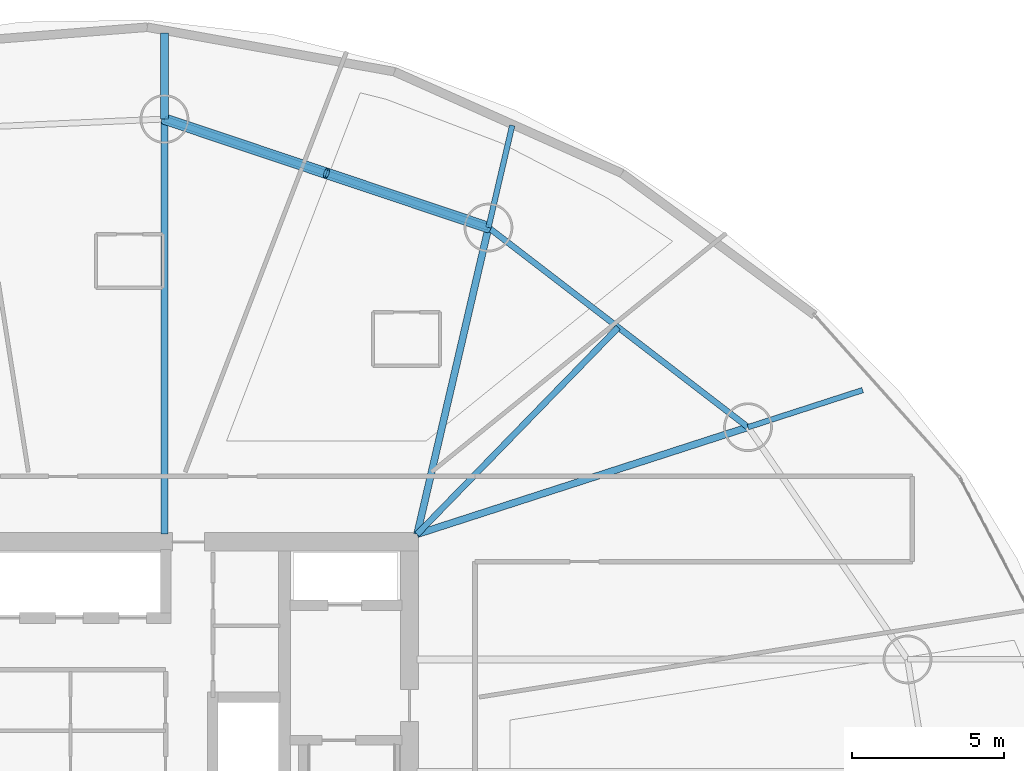
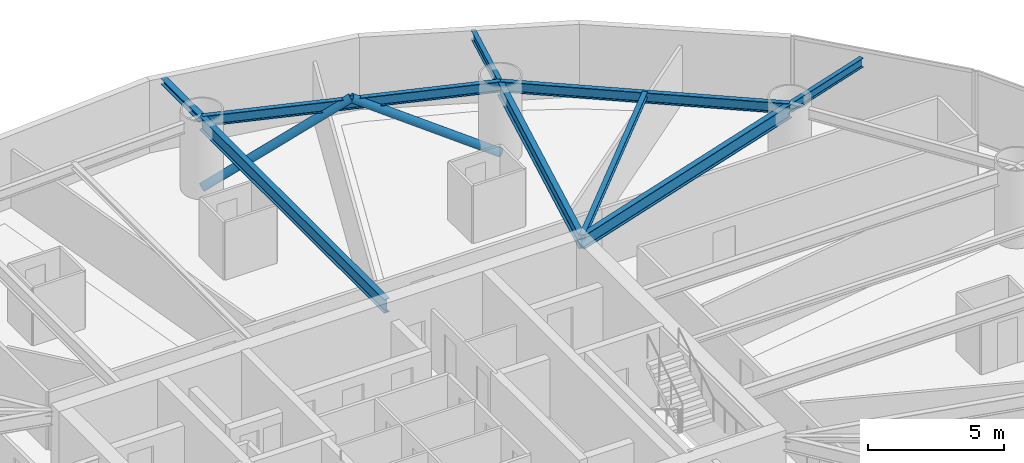
# One storey, part 15 of 25: 9 beams, 2 members.
"""IFC4 building model written with IfcOpenShell, lengths in metres."""

from ifc_helpers import new_model, si_unit, direction, frame, origin, origin_2d, place, context, subcontext, project, spatial, hollow_circle, i_section, extrude, material, material_profile, profile_set, type_object, element, save


model = new_model("IFC4")

# Units and contexts
model_context = context("Model", 3, precision=1e-05, world=origin(), true_north=direction((0.0, 1.0)))
body_context = subcontext(model_context, "Body", "Model", "MODEL_VIEW")
ifc_project = project(units=[si_unit("LENGTHUNIT", "METRE"), si_unit("AREAUNIT", "SQUARE_METRE"), si_unit("VOLUMEUNIT", "CUBIC_METRE"), si_unit("PLANEANGLEUNIT", "RADIAN"), si_unit("MASSUNIT", "GRAM", prefix="KILO")], contexts=[model_context])

# Site, building, storey
site_placement = place(None, origin())
site = spatial("IfcSite", under=ifc_project, at=site_placement, CompositionType="ELEMENT")
building_placement = place(site_placement, origin())
building = spatial("IfcBuilding", under=site, at=building_placement, Name="Bramvorn Convention Spire", CompositionType="ELEMENT")
storey_placement = place(building_placement, frame((0.0, 0.0, 48.39990234375)))
storey = spatial("IfcBuildingStorey", under=building, at=storey_placement, Name="L09", CompositionType="ELEMENT", Elevation=48.39990234375)

# Beams
ifc_material = material(Name="Steel CSA G40.21 Grade 350 (350W)", Category="steel")
ifc_material_profile_1 = material_profile(ifc_material, i_section(OverallWidth=0.201904296875, OverallDepth=0.2470703125, WebThickness=0.00732421875, FlangeThickness=0.010986328125, FilletRadius=0.011962890625, at=origin_2d()))
ifc_profile_set_1 = profile_set([ifc_material_profile_1], Name="Steel CSA G40.21 Grade 350 (350W) - W250X49")
beam_type_1 = type_object("IfcBeamType", Name="BM-W250X49", PredefinedType="JOIST", material=ifc_profile_set_1)
beam_1_placement = place(storey_placement, frame((49.25, 33.449951171875, 3.126708984375), z_axis=(0.697170484005, 0.716905374671, 0.0), x_axis=(-0.716905374671, 0.697170484005, 0.0)))
element("IfcBeam", 1, at=beam_1_placement, inside=storey, type_object=beam_type_1, Name="L09 composite floor joist 03", PredefinedType="JOIST", context=body_context, shape_type="SweptSolid", body=[
    extrude(i_section(OverallWidth=0.201904296875, OverallDepth=0.2470703125, WebThickness=0.00732421875, FlangeThickness=0.010986328125, FilletRadius=0.011962890625, at=origin_2d()), origin(), (0.0, 0.0, 1.0), 9.4638671875),
])
ifc_material_profile_2 = material_profile(ifc_material, i_section(OverallWidth=0.25390625, OverallDepth=0.2529296875, WebThickness=0.008544921875, FlangeThickness=0.01416015625, FilletRadius=0.011962890625, at=origin_2d()))
ifc_profile_set_2 = profile_set([ifc_material_profile_2], Name="Steel CSA G40.21 Grade 350 (350W) - W250X73")
beam_type_2 = type_object("IfcBeamType", Name="BM-W250X73", PredefinedType="BEAM", material=ifc_profile_set_2)
beam_2_placement = place(storey_placement, frame((40.9609375, 47.06884765625, 3.108642578125), z_axis=(0.0, 1.0, 0.0), x_axis=(-1.0, 0.0, 0.0)))
element("IfcBeam", 2, at=beam_2_placement, inside=storey, type_object=beam_type_2, Name="L09 slab-edge cantilever tip beam MC05", PredefinedType="BEAM", context=body_context, shape_type="SweptSolid", body=[
    extrude(i_section(OverallWidth=0.25390625, OverallDepth=0.2529296875, WebThickness=0.008544921875, FlangeThickness=0.01416015625, FilletRadius=0.011962890625, at=origin_2d()), origin(), (0.0, 0.0, 1.0), 2.828857421875),
])
ifc_material_profile_3 = material_profile(ifc_material, i_section(OverallWidth=0.180908203125, OverallDepth=0.4169921875, WebThickness=0.010986328125, FlangeThickness=0.018310546875, FilletRadius=0.01611328125, at=origin_2d()))
ifc_profile_set_3 = profile_set([ifc_material_profile_3], Name="Steel CSA G40.21 Grade 350 (350W) - W410X85")
beam_type_3 = type_object("IfcBeamType", Name="BM-W410X85", PredefinedType="JOIST", material=ifc_profile_set_3)
beam_3_placement = place(storey_placement, frame((60.105224609375, 36.960205078125, 3.026611328125), z_axis=(0.951488167358, 0.307685338256, 0.0), x_axis=(-0.307685338256, 0.951488167358, 0.0)))
element("IfcBeam", 3, at=beam_3_placement, inside=storey, type_object=beam_type_3, Name="L09 Sky-Garden cantilever tip girder MC03", PredefinedType="JOIST", context=body_context, shape_type="SweptSolid", body=[
    extrude(i_section(OverallWidth=0.180908203125, OverallDepth=0.4169921875, WebThickness=0.010986328125, FlangeThickness=0.018310546875, FilletRadius=0.01611328125, at=origin_2d()), origin(), (0.0, 0.0, 1.0), 3.949951171875),
])
beam_4_placement = place(storey_placement, frame((51.59033203125, 43.509033203125, 3.026611328125), z_axis=(0.226616871809, 0.973983980059, 0.0), x_axis=(-0.973983980059, 0.226616871809, 0.0)))
element("IfcBeam", 4, at=beam_4_placement, inside=storey, type_object=beam_type_3, Name="L09 Sky-Garden cantilever tip girder MC04", PredefinedType="JOIST", context=body_context, shape_type="SweptSolid", body=[
    extrude(i_section(OverallWidth=0.180908203125, OverallDepth=0.4169921875, WebThickness=0.010986328125, FlangeThickness=0.018310546875, FilletRadius=0.01611328125, at=origin_2d()), origin(), (0.0, 0.0, 1.0), 3.438720703125),
])
ifc_material_profile_4 = material_profile(ifc_material, i_section(OverallWidth=0.194091796875, OverallDepth=0.468994140625, WebThickness=0.0126953125, FlangeThickness=0.0205078125, FilletRadius=0.01806640625, at=origin_2d()))
ifc_profile_set_4 = profile_set([ifc_material_profile_4], Name="Steel CSA G40.21 Grade 350 (350W) - W460X106")
beam_type_4 = type_object("IfcBeamType", Name="BM-W460X106", PredefinedType="SPANDREL", material=ifc_profile_set_4)
beam_5_placement = place(storey_placement, frame((60.105224609375, 36.960205078125, 3.015625), z_axis=(-0.792672990445, 0.609647053809, 0.0), x_axis=(-0.609647053809, -0.792672990445, 0.0)))
element("IfcBeam", 5, at=beam_5_placement, inside=storey, type_object=beam_type_4, Name="L09 mega-column ring beam 03", PredefinedType="SPANDREL", context=body_context, shape_type="SweptSolid", body=[
    extrude(i_section(OverallWidth=0.194091796875, OverallDepth=0.468994140625, WebThickness=0.0126953125, FlangeThickness=0.0205078125, FilletRadius=0.01806640625, at=origin_2d()), origin(), (0.0, 0.0, 1.0), 10.741943359375),
])
beam_6_placement = place(storey_placement, frame((51.59033203125, 43.509033203125, 3.015625), z_axis=(-0.948235872727, 0.317566890078, 0.0), x_axis=(-0.317566890078, -0.948235872727, 0.0)))
element("IfcBeam", 6, at=beam_6_placement, inside=storey, type_object=beam_type_4, Name="L09 mega-column ring beam 04", PredefinedType="SPANDREL", context=body_context, shape_type="SweptSolid", body=[
    extrude(i_section(OverallWidth=0.194091796875, OverallDepth=0.468994140625, WebThickness=0.0126953125, FlangeThickness=0.0205078125, FilletRadius=0.01806640625, at=origin_2d()), origin(), (0.0, 0.0, 1.0), 11.209716796875),
])
ifc_material_profile_5 = material_profile(ifc_material, i_section(OverallWidth=0.22998046875, OverallDepth=0.616943359375, WebThickness=0.01318359375, FlangeThickness=0.022216796875, FilletRadius=0.02001953125, at=origin_2d()))
ifc_profile_set_5 = profile_set([ifc_material_profile_5], Name="Steel CSA G40.21 Grade 350 (350W) - W610X140")
beam_type_5 = type_object("IfcBeamType", Name="BM-W610X140", PredefinedType="BEAM", material=ifc_profile_set_5)
beam_7_placement = place(storey_placement, frame((49.25, 33.449951171875, 2.926513671875), z_axis=(0.951488933275, 0.307682969719, 0.0), x_axis=(-0.307682969719, 0.951488933275, 0.0)))
element("IfcBeam", 7, at=beam_7_placement, inside=storey, type_object=beam_type_5, Name="L09 Sky-Garden back-span radial girder MC03", PredefinedType="BEAM", context=body_context, shape_type="SweptSolid", body=[
    extrude(i_section(OverallWidth=0.22998046875, OverallDepth=0.616943359375, WebThickness=0.01318359375, FlangeThickness=0.022216796875, FilletRadius=0.02001953125, at=origin_2d()), origin(), (0.0, 0.0, 1.0), 11.40869140625),
])
beam_8_placement = place(storey_placement, frame((49.25, 33.449951171875, 2.926513671875), z_axis=(0.226606328522, 0.973986433106, 0.0), x_axis=(-0.973986433106, 0.226606328522, 0.0)))
element("IfcBeam", 8, at=beam_8_placement, inside=storey, type_object=beam_type_5, Name="L09 Sky-Garden back-span radial girder MC04", PredefinedType="BEAM", context=body_context, shape_type="SweptSolid", body=[
    extrude(i_section(OverallWidth=0.22998046875, OverallDepth=0.616943359375, WebThickness=0.01318359375, FlangeThickness=0.022216796875, FilletRadius=0.02001953125, at=origin_2d()), origin(), (0.0, 0.0, 1.0), 10.32763671875),
])
beam_9_placement = place(storey_placement, frame((40.9609375, 33.449951171875, 2.941650390625), z_axis=(0.0, 1.0, 0.0), x_axis=(-1.0, 0.0, 0.0)))
element("IfcBeam", 9, at=beam_9_placement, inside=storey, type_object=beam_type_5, Name="L09 radial floor girder MC05", PredefinedType="BEAM", context=body_context, shape_type="SweptSolid", body=[
    extrude(i_section(OverallWidth=0.22998046875, OverallDepth=0.616943359375, WebThickness=0.01318359375, FlangeThickness=0.022216796875, FilletRadius=0.02001953125, at=origin_2d()), origin(), (0.0, 0.0, 1.0), 13.618896484375),
])

# Members
ifc_material_profile_6 = material_profile(ifc_material, hollow_circle(Radius=0.177734375, WallThickness=0.015869140625, at=origin_2d()))
ifc_profile_set_6 = profile_set([ifc_material_profile_6], Name="Steel CSA G40.21 Grade 350 (350W) - CHS356X16")
member_type = type_object("IfcMemberType", Name="MBR-CHS356X16", PredefinedType="BRACE", material=ifc_profile_set_6)
for number, where, z_axis, x_axis, name in (
    (10, (51.59033203125, 43.509033203125, 0.0), (-0.820300118259, 0.274739683138, 0.501623187756), (-0.31758647294, -0.948229314146, 0.0), "L09 perimeter Gothic lancet brace 4A"),
    (11, (40.9609375, 47.06884765625, 0.0), (0.820308610169, -0.274704844877, 0.501628380659), (0.31754730681, 0.948242430994, 0.0), "L09 perimeter Gothic lancet brace 4B"),
):
    element("IfcMember", number, at=place(storey_placement, frame(where, z_axis=z_axis, x_axis=x_axis)), inside=storey, type_object=member_type, Name=name, PredefinedType="BRACE", context=body_context, shape_type="SweptSolid", body=[
        extrude(hollow_circle(Radius=0.177734375, WallThickness=0.015869140625, at=origin_2d()), origin(), (0.0, 0.0, 1.0), 6.47900390625),
    ])

save(model, "model.ifc")
